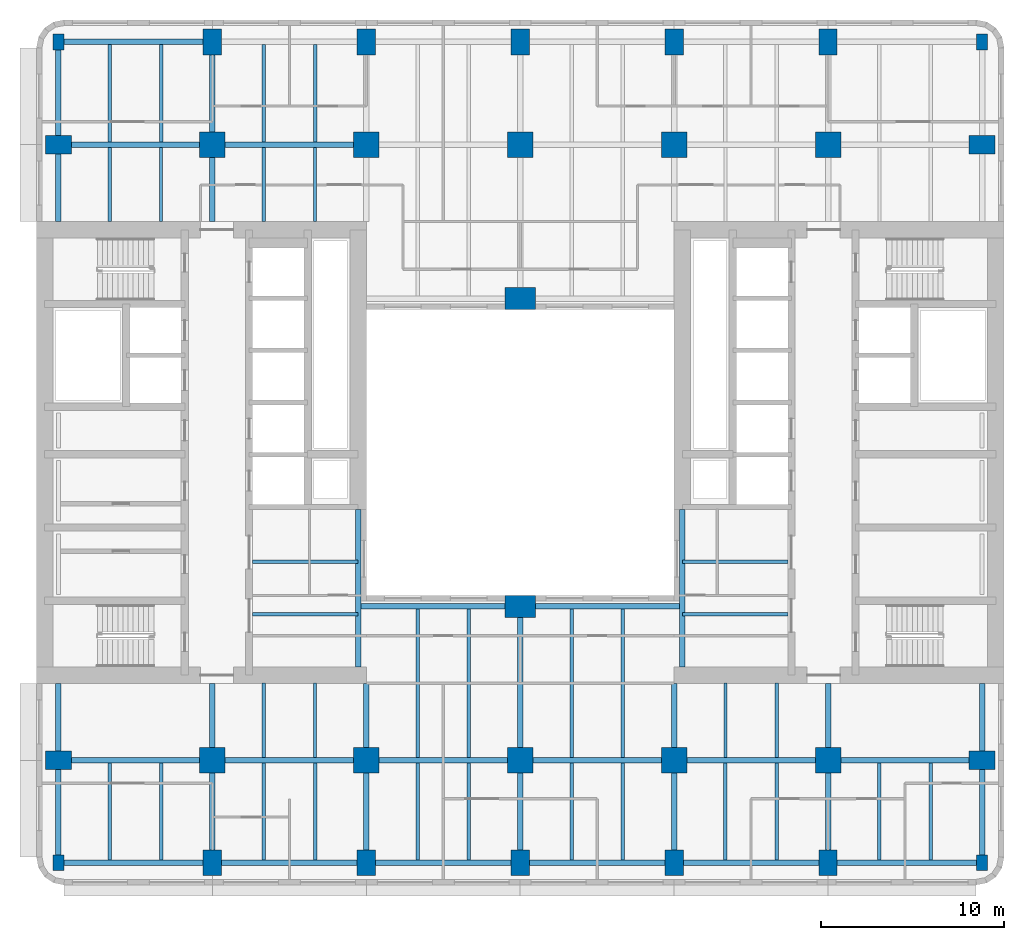
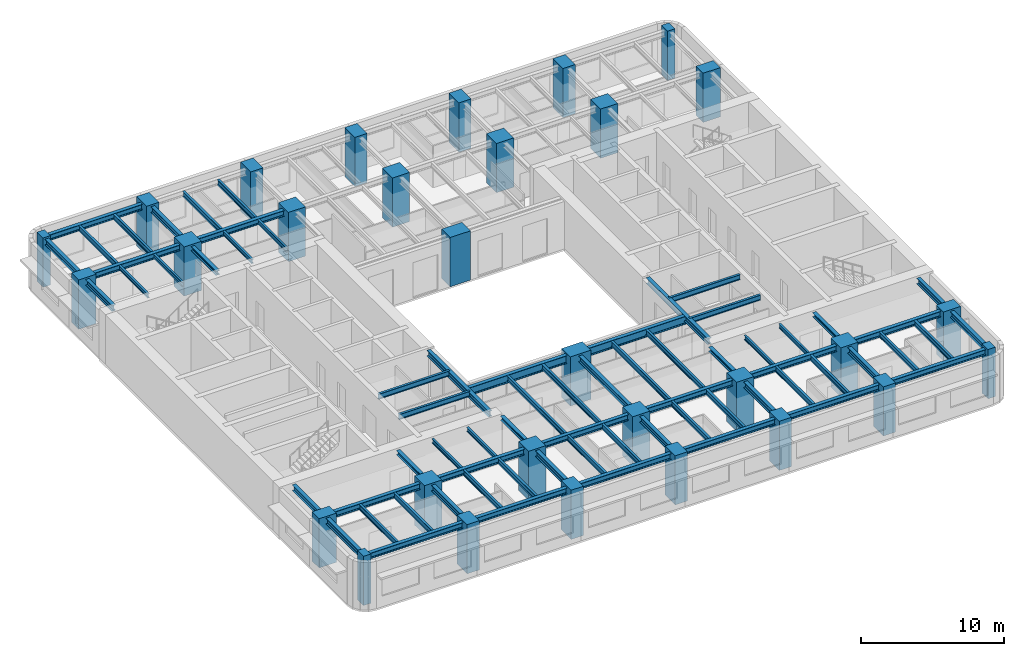
# One storey, part 1 of 11: 69 beams, 30 columns.
"""IFC4 building model written with IfcOpenShell, lengths in metres."""

from ifc_helpers import new_model, si_unit, direction, frame, origin, origin_2d, place, context, subcontext, project, spatial, rectangle, i_section, extrude, material, material_profile, profile_set, type_object, element, save


model = new_model("IFC4")

# Units and contexts
model_context = context("Model", 3, precision=1e-05, world=origin(), true_north=direction((0.0, 1.0)))
body_context = subcontext(model_context, "Body", "Model", "MODEL_VIEW")
ifc_project = project(units=[si_unit("LENGTHUNIT", "METRE"), si_unit("AREAUNIT", "SQUARE_METRE"), si_unit("VOLUMEUNIT", "CUBIC_METRE"), si_unit("PLANEANGLEUNIT", "RADIAN"), si_unit("MASSUNIT", "GRAM", prefix="KILO")], contexts=[model_context])

# Site, building, storey
site_placement = place(None, origin())
site = spatial("IfcSite", under=ifc_project, at=site_placement, CompositionType="ELEMENT")
building_placement = place(site_placement, origin())
building = spatial("IfcBuilding", under=site, at=building_placement, Name="Claustro Exchange Tower", CompositionType="ELEMENT")
storey_placement = place(building_placement, frame((0.0, 0.0, 155.39990234375)))
storey = spatial("IfcBuildingStorey", under=building, at=storey_placement, Name="L35", CompositionType="ELEMENT", Elevation=155.39990234375)

# Columns
ifc_material_1 = material(Name="Concrete HA-70 (C70/85)", Category="concrete")
ifc_material_profile_1 = material_profile(ifc_material_1, rectangle(XDim=1.39990234375, YDim=1.39990234375, at=origin_2d()), Name="RC 1400x1400")
ifc_profile_set_1 = profile_set([ifc_material_profile_1], Name="Concrete HA-70 (C70/85)")
column_type_1 = type_object("IfcColumnType", Name="C0 RC 1400x1400 HA-70 column", PredefinedType="COLUMN", material=ifc_profile_set_1)
for number, where, z_axis, x_axis, name in (
    (1, (8.39990234375, 8.39990234375, 0.0), (0.0, 0.0, 1.0), (1.0, 0.0, 0.0), "Column C0 2/B L35"),
    (2, (8.39990234375, 42.0, 0.0), (0.0, 0.0, 1.0), (1.0, 0.0, 0.0), "Column C0 2/F L35"),
    (3, (16.800048828125, 8.39990234375, 0.0), (0.0, 0.0, 1.0), (1.0, 0.0, 0.0), "Column C0 3/B L35"),
    (4, (16.800048828125, 42.0, 0.0), (0.0, 0.0, 1.0), (1.0, 0.0, 0.0), "Column C0 3/F L35"),
    (5, (25.199951171875, 8.39990234375, 0.0), (0.0, 0.0, 1.0), (1.0, 0.0, 0.0), "Column C0 4/B L35"),
    (6, (25.199951171875, 42.0, 0.0), (0.0, 0.0, 1.0), (1.0, 0.0, 0.0), "Column C0 4/F L35"),
    (7, (33.60009765625, 8.39990234375, 0.0), (0.0, 0.0, 1.0), (1.0, 0.0, 0.0), "Column C0 5/B L35"),
    (8, (33.60009765625, 42.0, 0.0), (0.0, 0.0, 1.0), (1.0, 0.0, 0.0), "Column C0 5/F L35"),
    (9, (42.0, 8.39990234375, 0.0), (0.0, 0.0, 1.0), (1.0, 0.0, 0.0), "Column C0 6/B L35"),
    (10, (42.0, 42.0, 0.0), (0.0, 0.0, 1.0), (1.0, 0.0, 0.0), "Column C0 6/F L35"),
):
    element("IfcColumn", number, at=place(storey_placement, frame(where, z_axis=z_axis, x_axis=x_axis)), inside=storey, type_object=column_type_1, Name=name, PredefinedType="COLUMN", context=body_context, shape_type="SweptSolid", body=[
        extrude(rectangle(XDim=1.39990234375, YDim=1.39990234375, at=origin_2d()), origin(), (0.0, 0.0, 1.0), 4.2001953125),
    ])
ifc_material_2 = material(Name="Concrete HA-70 (C70/85)", Category="concrete")
ifc_material_profile_2 = material_profile(ifc_material_2, rectangle(XDim=1.0, YDim=1.39990234375, at=origin_2d()), Name="RC 1000x1400")
ifc_profile_set_2 = profile_set([ifc_material_profile_2], Name="Concrete HA-70 (C70/85)")
column_type_2 = type_object("IfcColumnType", Name="C22 RC 1000x1400 HA-70 perimeter column", PredefinedType="COLUMN", material=ifc_profile_set_2)
for number, where, z_axis, x_axis, name in (
    (11, (0.0, 8.39990234375, 0.0), (0.0, 0.0, 1.0), (0.0, 1.0, 0.0), "Column C22 1/B L35"),
    (12, (0.0, 42.0, 0.0), (0.0, 0.0, 1.0), (0.0, 1.0, 0.0), "Column C22 1/F L35"),
    (13, (8.39990234375, 2.800048828125, 0.0), (0.0, 0.0, 1.0), (1.0, 0.0, 0.0), "Column C22 2/A+2800 L35"),
    (14, (8.39990234375, 47.60009765625, 0.0), (0.0, 0.0, 1.0), (1.0, 0.0, 0.0), "Column C22 2/F+5600 L35"),
    (15, (16.800048828125, 2.800048828125, 0.0), (0.0, 0.0, 1.0), (1.0, 0.0, 0.0), "Column C22 3/A+2800 L35"),
    (16, (16.800048828125, 47.60009765625, 0.0), (0.0, 0.0, 1.0), (1.0, 0.0, 0.0), "Column C22 3/F+5600 L35"),
    (17, (25.199951171875, 2.800048828125, 0.0), (0.0, 0.0, 1.0), (1.0, 0.0, 0.0), "Column C22 4/A+2800 L35"),
    (18, (25.199951171875, 47.60009765625, 0.0), (0.0, 0.0, 1.0), (1.0, 0.0, 0.0), "Column C22 4/F+5600 L35"),
    (19, (33.60009765625, 2.800048828125, 0.0), (0.0, 0.0, 1.0), (1.0, 0.0, 0.0), "Column C22 5/A+2800 L35"),
    (20, (33.60009765625, 47.60009765625, 0.0), (0.0, 0.0, 1.0), (1.0, 0.0, 0.0), "Column C22 5/F+5600 L35"),
    (21, (42.0, 2.800048828125, 0.0), (0.0, 0.0, 1.0), (1.0, 0.0, 0.0), "Column C22 6/A+2800 L35"),
    (22, (42.0, 47.60009765625, 0.0), (0.0, 0.0, 1.0), (1.0, 0.0, 0.0), "Column C22 6/F+5600 L35"),
    (23, (50.39990234375, 8.39990234375, 0.0), (0.0, 0.0, 1.0), (0.0, 1.0, 0.0), "Column C22 7/B L35"),
    (24, (50.39990234375, 42.0, 0.0), (0.0, 0.0, 1.0), (0.0, 1.0, 0.0), "Column C22 7/F L35"),
):
    element("IfcColumn", number, at=place(storey_placement, frame(where, z_axis=z_axis, x_axis=x_axis)), inside=storey, type_object=column_type_2, Name=name, PredefinedType="COLUMN", context=body_context, shape_type="SweptSolid", body=[
        extrude(rectangle(XDim=1.0, YDim=1.39990234375, at=origin_2d()), origin(), (0.0, 0.0, 1.0), 4.2001953125),
    ])
ifc_material_3 = material(Name="Concrete HA-50 (C50/60)", Category="concrete")
ifc_material_profile_3 = material_profile(ifc_material_3, rectangle(XDim=0.60009765625, YDim=0.85009765625, at=origin_2d()), Name="RC 600x850")
ifc_profile_set_3 = profile_set([ifc_material_profile_3], Name="Concrete HA-50 (C50/60)")
column_type_3 = type_object("IfcColumnType", Name="C25 RC 600x850 HA-50 corner column", PredefinedType="COLUMN", material=ifc_profile_set_3)
for number, where, z_axis, x_axis, name in (
    (25, (0.0, 2.800048828125, 0.0), (0.0, 0.0, 1.0), (1.0, 0.0, 0.0), "Column C25 1/A+2800 L35"),
    (26, (0.0, 47.60009765625, 0.0), (0.0, 0.0, 1.0), (1.0, 0.0, 0.0), "Column C25 1/F+5600 L35"),
    (27, (50.39990234375, 2.800048828125, 0.0), (0.0, 0.0, 1.0), (1.0, 0.0, 0.0), "Column C25 7/A+2800 L35"),
    (28, (50.39990234375, 47.60009765625, 0.0), (0.0, 0.0, 1.0), (1.0, 0.0, 0.0), "Column C25 7/F+5600 L35"),
):
    element("IfcColumn", number, at=place(storey_placement, frame(where, z_axis=z_axis, x_axis=x_axis)), inside=storey, type_object=column_type_3, Name=name, PredefinedType="COLUMN", context=body_context, shape_type="SweptSolid", body=[
        extrude(rectangle(XDim=0.60009765625, YDim=0.85009765625, at=origin_2d()), origin(), (0.0, 0.0, 1.0), 4.2001953125),
    ])
ifc_material_4 = material(Name="Concrete HA-70 (C70/85)", Category="concrete")
ifc_material_profile_4 = material_profile(ifc_material_4, rectangle(XDim=1.64990234375, YDim=1.199951171875, at=origin_2d()), Name="RC 1650x1200")
ifc_profile_set_4 = profile_set([ifc_material_profile_4], Name="Concrete HA-70 (C70/85)")
column_type_4 = type_object("IfcColumnType", Name="C32 RC 1650x1200 HA-70 light well column", PredefinedType="COLUMN", material=ifc_profile_set_4)
for number, where, z_axis, x_axis, name in (
    (29, (25.199951171875, 16.800048828125, 0.0), (0.0, 0.0, 1.0), (1.0, 0.0, 0.0), "Column C32 4/C L35"),
    (30, (25.199951171875, 33.60009765625, 0.0), (0.0, 0.0, 1.0), (1.0, 0.0, 0.0), "Column C32 4/E L35"),
):
    element("IfcColumn", number, at=place(storey_placement, frame(where, z_axis=z_axis, x_axis=x_axis)), inside=storey, type_object=column_type_4, Name=name, PredefinedType="COLUMN", context=body_context, shape_type="SweptSolid", body=[
        extrude(rectangle(XDim=1.64990234375, YDim=1.199951171875, at=origin_2d()), origin(), (0.0, 0.0, 1.0), 4.2001953125),
    ])

# Beams
ifc_material_5 = material(Name="Steel S355", Category="steel")
ifc_material_profile_5 = material_profile(ifc_material_5, i_section(OverallWidth=0.300048828125, OverallDepth=0.68994140625, WebThickness=0.014404296875, FlangeThickness=0.027099609375, FilletRadius=0.027099609375, at=origin_2d()), Name="HE 700 A")
ifc_profile_set_5 = profile_set([ifc_material_profile_5], Name="Steel S355")
beam_type_1 = type_object("IfcBeamType", Name="B13 HE 700 A light well edge girder", PredefinedType="BEAM", material=ifc_profile_set_5)
beam_1_placement = place(storey_placement, frame((16.35009765625, 16.800048828125, 3.705078125), z_axis=(1.0, 0.0, 0.0), x_axis=(0.0, 1.0, 0.0)))
element("IfcBeam", 31, at=beam_1_placement, inside=storey, type_object=beam_type_1, Name="Beam B13 L36", PredefinedType="BEAM", context=body_context, shape_type="SweptSolid", body=[
    extrude(i_section(OverallWidth=0.300048828125, OverallDepth=0.68994140625, WebThickness=0.014404296875, FlangeThickness=0.027099609375, FilletRadius=0.027099609375, at=origin_2d()), origin(), (0.0, 0.0, 1.0), 8.849853515625),
])
beam_2_placement = place(storey_placement, frame((25.199951171875, 16.800048828125, 3.705078125), z_axis=(1.0, 0.0, 0.0), x_axis=(0.0, 1.0, 0.0)))
element("IfcBeam", 32, at=beam_2_placement, inside=storey, type_object=beam_type_1, Name="Beam B13 L36", PredefinedType="BEAM", context=body_context, shape_type="SweptSolid", body=[
    extrude(i_section(OverallWidth=0.300048828125, OverallDepth=0.68994140625, WebThickness=0.014404296875, FlangeThickness=0.027099609375, FilletRadius=0.027099609375, at=origin_2d()), origin(), (0.0, 0.0, 1.0), 8.85009765625),
])
ifc_material_6 = material(Name="Steel S355", Category="steel")
ifc_material_profile_6 = material_profile(ifc_material_6, i_section(OverallWidth=0.169921875, OverallDepth=0.360107421875, WebThickness=0.008056640625, FlangeThickness=0.0126953125, FilletRadius=0.01806640625, at=origin_2d()), Name="IPE 360")
ifc_profile_set_6 = profile_set([ifc_material_profile_6], Name="Steel S355")
beam_type_2 = type_object("IfcBeamType", Name="B16 IPE 360 short-span beam", PredefinedType="BEAM", material=ifc_profile_set_6)
for number, where, z_axis, x_axis, name in (
    (33, (2.800048828125, 37.7900390625, 3.8701171875), (0.0, 1.0, 0.0), (-1.0, 0.0, 0.0), "Beam B16 L36"),
    (34, (5.60009765625, 37.7900390625, 3.8701171875), (0.0, 1.0, 0.0), (-1.0, 0.0, 0.0), "Beam B16 L36"),
    (35, (11.199951171875, 8.550048828125, 3.8701171875), (0.0, 1.0, 0.0), (-1.0, 0.0, 0.0), "Beam B16 L36"),
    (36, (14.0, 8.550048828125, 3.8701171875), (0.0, 1.0, 0.0), (-1.0, 0.0, 0.0), "Beam B16 L36"),
    (37, (11.199951171875, 37.7900390625, 3.8701171875), (0.0, 1.0, 0.0), (-1.0, 0.0, 0.0), "Beam B16 L36"),
    (38, (14.0, 37.7900390625, 3.8701171875), (0.0, 1.0, 0.0), (-1.0, 0.0, 0.0), "Beam B16 L36"),
    (39, (36.39990234375, 8.550048828125, 3.8701171875), (0.0, 1.0, 0.0), (-1.0, 0.0, 0.0), "Beam B16 L36"),
    (40, (39.199951171875, 8.550048828125, 3.8701171875), (0.0, 1.0, 0.0), (-1.0, 0.0, 0.0), "Beam B16 L36"),
):
    element("IfcBeam", number, at=place(storey_placement, frame(where, z_axis=z_axis, x_axis=x_axis)), inside=storey, type_object=beam_type_2, Name=name, PredefinedType="BEAM", context=body_context, shape_type="SweptSolid", body=[
        extrude(i_section(OverallWidth=0.169921875, OverallDepth=0.360107421875, WebThickness=0.008056640625, FlangeThickness=0.0126953125, FilletRadius=0.01806640625, at=origin_2d()), origin(), (0.0, 0.0, 1.0), 4.06005859375),
    ])
ifc_material_7 = material(Name="Steel S355", Category="steel")
ifc_material_profile_7 = material_profile(ifc_material_7, i_section(OverallWidth=0.300048828125, OverallDepth=0.360107421875, WebThickness=0.012451171875, FlangeThickness=0.0224609375, FilletRadius=0.027099609375, at=origin_2d()), Name="HE 360 B")
ifc_profile_set_7 = profile_set([ifc_material_profile_7], Name="Steel S355")
beam_type_3 = type_object("IfcBeamType", Name="B29 HE 360 B column to core link beam", PredefinedType="BEAM", material=ifc_profile_set_7)
beam_3_placement = place(storey_placement, frame((8.39990234375, 8.39990234375, 3.8701171875), z_axis=(0.0, 1.0, 0.0), x_axis=(-1.0, 0.0, 0.0)))
element("IfcBeam", 41, at=beam_3_placement, inside=storey, type_object=beam_type_3, Name="Beam B29 L36", PredefinedType="BEAM", context=body_context, shape_type="SweptSolid", body=[
    extrude(i_section(OverallWidth=0.300048828125, OverallDepth=0.360107421875, WebThickness=0.012451171875, FlangeThickness=0.0224609375, FilletRadius=0.027099609375, at=origin_2d()), origin(), (0.0, 0.0, 1.0), 4.2001953125),
])
beam_4_placement = place(storey_placement, frame((8.39990234375, 37.800048828125, 3.8701171875), z_axis=(0.0, 1.0, 0.0), x_axis=(-1.0, 0.0, 0.0)))
element("IfcBeam", 42, at=beam_4_placement, inside=storey, type_object=beam_type_3, Name="Beam B29 L36", PredefinedType="BEAM", context=body_context, shape_type="SweptSolid", body=[
    extrude(i_section(OverallWidth=0.300048828125, OverallDepth=0.360107421875, WebThickness=0.012451171875, FlangeThickness=0.0224609375, FilletRadius=0.027099609375, at=origin_2d()), origin(), (0.0, 0.0, 1.0), 4.199951171875),
])
for number, where, z_axis, x_axis, name in (
    (43, (16.800048828125, 8.39990234375, 3.8701171875), (0.0, 1.0, 0.0), (-1.0, 0.0, 0.0), "Beam B29 L36"),
    (44, (33.60009765625, 8.39990234375, 3.8701171875), (0.0, 1.0, 0.0), (-1.0, 0.0, 0.0), "Beam B29 L36"),
    (45, (42.0, 8.39990234375, 3.8701171875), (0.0, 1.0, 0.0), (-1.0, 0.0, 0.0), "Beam B29 L36"),
):
    element("IfcBeam", number, at=place(storey_placement, frame(where, z_axis=z_axis, x_axis=x_axis)), inside=storey, type_object=beam_type_3, Name=name, PredefinedType="BEAM", context=body_context, shape_type="SweptSolid", body=[
        extrude(i_section(OverallWidth=0.300048828125, OverallDepth=0.360107421875, WebThickness=0.012451171875, FlangeThickness=0.0224609375, FilletRadius=0.027099609375, at=origin_2d()), origin(), (0.0, 0.0, 1.0), 4.2001953125),
    ])
ifc_material_8 = material(Name="Steel S355", Category="steel")
ifc_material_profile_8 = material_profile(ifc_material_8, i_section(OverallWidth=0.300048828125, OverallDepth=0.5, WebThickness=0.014404296875, FlangeThickness=0.028076171875, FilletRadius=0.027099609375, at=origin_2d()), Name="HE 500 B")
ifc_profile_set_8 = profile_set([ifc_material_profile_8], Name="Steel S355")
beam_type_4 = type_object("IfcBeamType", Name="B7 HE 500 B floor girder", PredefinedType="BEAM", material=ifc_profile_set_8)
beam_5_placement = place(storey_placement, frame((8.39990234375, 2.800048828125, 3.800048828125), z_axis=(0.0, 1.0, 0.0), x_axis=(-1.0, 0.0, 0.0)))
element("IfcBeam", 46, at=beam_5_placement, inside=storey, type_object=beam_type_4, Name="Beam B7 L36", PredefinedType="BEAM", context=body_context, shape_type="SweptSolid", body=[
    extrude(i_section(OverallWidth=0.300048828125, OverallDepth=0.5, WebThickness=0.014404296875, FlangeThickness=0.028076171875, FilletRadius=0.027099609375, at=origin_2d()), origin(), (0.0, 0.0, 1.0), 5.599853515625),
])
beam_6_placement = place(storey_placement, frame((8.39990234375, 42.0, 3.800048828125), z_axis=(0.0, 1.0, 0.0), x_axis=(-1.0, 0.0, 0.0)))
element("IfcBeam", 47, at=beam_6_placement, inside=storey, type_object=beam_type_4, Name="Beam B7 L36", PredefinedType="BEAM", context=body_context, shape_type="SweptSolid", body=[
    extrude(i_section(OverallWidth=0.300048828125, OverallDepth=0.5, WebThickness=0.014404296875, FlangeThickness=0.028076171875, FilletRadius=0.027099609375, at=origin_2d()), origin(), (0.0, 0.0, 1.0), 5.60009765625),
])
for number, where, z_axis, x_axis, name in (
    (48, (16.800048828125, 2.800048828125, 3.800048828125), (0.0, 1.0, 0.0), (-1.0, 0.0, 0.0), "Beam B7 L36"),
    (49, (25.199951171875, 2.800048828125, 3.800048828125), (0.0, 1.0, 0.0), (-1.0, 0.0, 0.0), "Beam B7 L36"),
):
    element("IfcBeam", number, at=place(storey_placement, frame(where, z_axis=z_axis, x_axis=x_axis)), inside=storey, type_object=beam_type_4, Name=name, PredefinedType="BEAM", context=body_context, shape_type="SweptSolid", body=[
        extrude(i_section(OverallWidth=0.300048828125, OverallDepth=0.5, WebThickness=0.014404296875, FlangeThickness=0.028076171875, FilletRadius=0.027099609375, at=origin_2d()), origin(), (0.0, 0.0, 1.0), 5.599853515625),
    ])
beam_7_placement = place(storey_placement, frame((25.199951171875, 8.39990234375, 3.800048828125), z_axis=(0.0, 1.0, 0.0), x_axis=(-1.0, 0.0, 0.0)))
element("IfcBeam", 50, at=beam_7_placement, inside=storey, type_object=beam_type_4, Name="Beam B7 L36", PredefinedType="BEAM", context=body_context, shape_type="SweptSolid", body=[
    extrude(i_section(OverallWidth=0.300048828125, OverallDepth=0.5, WebThickness=0.014404296875, FlangeThickness=0.028076171875, FilletRadius=0.027099609375, at=origin_2d()), origin(), (0.0, 0.0, 1.0), 8.400146484375),
])
for number, where, z_axis, x_axis, name in (
    (51, (33.60009765625, 2.800048828125, 3.800048828125), (0.0, 1.0, 0.0), (-1.0, 0.0, 0.0), "Beam B7 L36"),
    (52, (42.0, 2.800048828125, 3.800048828125), (0.0, 1.0, 0.0), (-1.0, 0.0, 0.0), "Beam B7 L36"),
):
    element("IfcBeam", number, at=place(storey_placement, frame(where, z_axis=z_axis, x_axis=x_axis)), inside=storey, type_object=beam_type_4, Name=name, PredefinedType="BEAM", context=body_context, shape_type="SweptSolid", body=[
        extrude(i_section(OverallWidth=0.300048828125, OverallDepth=0.5, WebThickness=0.014404296875, FlangeThickness=0.028076171875, FilletRadius=0.027099609375, at=origin_2d()), origin(), (0.0, 0.0, 1.0), 5.599853515625),
    ])
beam_8_placement = place(storey_placement, frame((0.0, 8.39990234375, 3.800048828125), z_axis=(1.0, 0.0, 0.0), x_axis=(0.0, 1.0, 0.0)))
element("IfcBeam", 53, at=beam_8_placement, inside=storey, type_object=beam_type_4, Name="Beam B7 L36", PredefinedType="BEAM", context=body_context, shape_type="SweptSolid", body=[
    extrude(i_section(OverallWidth=0.300048828125, OverallDepth=0.5, WebThickness=0.014404296875, FlangeThickness=0.028076171875, FilletRadius=0.027099609375, at=origin_2d()), origin(), (0.0, 0.0, 1.0), 8.39990234375),
])
beam_9_placement = place(storey_placement, frame((8.39990234375, 8.39990234375, 3.800048828125), z_axis=(1.0, 0.0, 0.0), x_axis=(0.0, 1.0, 0.0)))
element("IfcBeam", 54, at=beam_9_placement, inside=storey, type_object=beam_type_4, Name="Beam B7 L36", PredefinedType="BEAM", context=body_context, shape_type="SweptSolid", body=[
    extrude(i_section(OverallWidth=0.300048828125, OverallDepth=0.5, WebThickness=0.014404296875, FlangeThickness=0.028076171875, FilletRadius=0.027099609375, at=origin_2d()), origin(), (0.0, 0.0, 1.0), 8.400146484375),
])
beam_10_placement = place(storey_placement, frame((16.800048828125, 8.39990234375, 3.800048828125), z_axis=(1.0, 0.0, 0.0), x_axis=(0.0, 1.0, 0.0)))
element("IfcBeam", 55, at=beam_10_placement, inside=storey, type_object=beam_type_4, Name="Beam B7 L36", PredefinedType="BEAM", context=body_context, shape_type="SweptSolid", body=[
    extrude(i_section(OverallWidth=0.300048828125, OverallDepth=0.5, WebThickness=0.014404296875, FlangeThickness=0.028076171875, FilletRadius=0.027099609375, at=origin_2d()), origin(), (0.0, 0.0, 1.0), 8.39990234375),
])
beam_11_placement = place(storey_placement, frame((25.199951171875, 8.39990234375, 3.800048828125), z_axis=(1.0, 0.0, 0.0), x_axis=(0.0, 1.0, 0.0)))
element("IfcBeam", 56, at=beam_11_placement, inside=storey, type_object=beam_type_4, Name="Beam B7 L36", PredefinedType="BEAM", context=body_context, shape_type="SweptSolid", body=[
    extrude(i_section(OverallWidth=0.300048828125, OverallDepth=0.5, WebThickness=0.014404296875, FlangeThickness=0.028076171875, FilletRadius=0.027099609375, at=origin_2d()), origin(), (0.0, 0.0, 1.0), 8.400146484375),
])
for number, where, z_axis, x_axis, name in (
    (57, (33.60009765625, 8.39990234375, 3.800048828125), (1.0, 0.0, 0.0), (0.0, 1.0, 0.0), "Beam B7 L36"),
    (58, (42.0, 8.39990234375, 3.800048828125), (1.0, 0.0, 0.0), (0.0, 1.0, 0.0), "Beam B7 L36"),
    (59, (0.0, 42.0, 3.800048828125), (1.0, 0.0, 0.0), (0.0, 1.0, 0.0), "Beam B7 L36"),
):
    element("IfcBeam", number, at=place(storey_placement, frame(where, z_axis=z_axis, x_axis=x_axis)), inside=storey, type_object=beam_type_4, Name=name, PredefinedType="BEAM", context=body_context, shape_type="SweptSolid", body=[
        extrude(i_section(OverallWidth=0.300048828125, OverallDepth=0.5, WebThickness=0.014404296875, FlangeThickness=0.028076171875, FilletRadius=0.027099609375, at=origin_2d()), origin(), (0.0, 0.0, 1.0), 8.39990234375),
    ])
beam_12_placement = place(storey_placement, frame((8.39990234375, 42.0, 3.800048828125), z_axis=(1.0, 0.0, 0.0), x_axis=(0.0, 1.0, 0.0)))
element("IfcBeam", 60, at=beam_12_placement, inside=storey, type_object=beam_type_4, Name="Beam B7 L36", PredefinedType="BEAM", context=body_context, shape_type="SweptSolid", body=[
    extrude(i_section(OverallWidth=0.300048828125, OverallDepth=0.5, WebThickness=0.014404296875, FlangeThickness=0.028076171875, FilletRadius=0.027099609375, at=origin_2d()), origin(), (0.0, 0.0, 1.0), 8.400146484375),
])
for number, where, z_axis, x_axis, name in (
    (61, (16.35009765625, 13.5, 3.800048828125), (0.0, 1.0, 0.0), (-1.0, 0.0, 0.0), "Beam B7 core step framing L36"),
    (62, (34.050048828125, 13.5, 3.800048828125), (0.0, 1.0, 0.0), (-1.0, 0.0, 0.0), "Beam B7 core step framing L36"),
):
    element("IfcBeam", number, at=place(storey_placement, frame(where, z_axis=z_axis, x_axis=x_axis)), inside=storey, type_object=beam_type_4, Name=name, PredefinedType="BEAM", context=body_context, shape_type="SweptSolid", body=[
        extrude(i_section(OverallWidth=0.300048828125, OverallDepth=0.5, WebThickness=0.014404296875, FlangeThickness=0.028076171875, FilletRadius=0.027099609375, at=origin_2d()), origin(), (0.0, 0.0, 1.0), 8.60009765625),
    ])
ifc_material_9 = material(Name="Steel S355", Category="steel")
ifc_material_profile_9 = material_profile(ifc_material_9, i_section(OverallWidth=0.18994140625, OverallDepth=0.449951171875, WebThickness=0.009521484375, FlangeThickness=0.0146484375, FilletRadius=0.02099609375, at=origin_2d()), Name="IPE 450")
ifc_profile_set_9 = profile_set([ifc_material_profile_9], Name="Steel S355")
beam_type_5 = type_object("IfcBeamType", Name="B8 IPE 450 secondary beam", PredefinedType="BEAM", material=ifc_profile_set_9)
for number, where, z_axis, x_axis, name in (
    (63, (2.800048828125, 2.949951171875, 3.8251953125), (0.0, 1.0, 0.0), (-1.0, 0.0, 0.0), "Beam B8 L36"),
    (64, (5.60009765625, 2.949951171875, 3.8251953125), (0.0, 1.0, 0.0), (-1.0, 0.0, 0.0), "Beam B8 L36"),
    (65, (2.800048828125, 42.14990234375, 3.8251953125), (0.0, 1.0, 0.0), (-1.0, 0.0, 0.0), "Beam B8 L36"),
    (66, (5.60009765625, 42.14990234375, 3.8251953125), (0.0, 1.0, 0.0), (-1.0, 0.0, 0.0), "Beam B8 L36"),
    (67, (11.199951171875, 2.949951171875, 3.8251953125), (0.0, 1.0, 0.0), (-1.0, 0.0, 0.0), "Beam B8 L36"),
    (68, (14.0, 2.949951171875, 3.8251953125), (0.0, 1.0, 0.0), (-1.0, 0.0, 0.0), "Beam B8 L36"),
    (69, (11.199951171875, 42.14990234375, 3.8251953125), (0.0, 1.0, 0.0), (-1.0, 0.0, 0.0), "Beam B8 L36"),
    (70, (14.0, 42.14990234375, 3.8251953125), (0.0, 1.0, 0.0), (-1.0, 0.0, 0.0), "Beam B8 L36"),
    (71, (19.60009765625, 2.949951171875, 3.8251953125), (0.0, 1.0, 0.0), (-1.0, 0.0, 0.0), "Beam B8 L36"),
    (72, (22.39990234375, 2.949951171875, 3.8251953125), (0.0, 1.0, 0.0), (-1.0, 0.0, 0.0), "Beam B8 L36"),
):
    element("IfcBeam", number, at=place(storey_placement, frame(where, z_axis=z_axis, x_axis=x_axis)), inside=storey, type_object=beam_type_5, Name=name, PredefinedType="BEAM", context=body_context, shape_type="SweptSolid", body=[
        extrude(i_section(OverallWidth=0.18994140625, OverallDepth=0.449951171875, WebThickness=0.009521484375, FlangeThickness=0.0146484375, FilletRadius=0.02099609375, at=origin_2d()), origin(), (0.0, 0.0, 1.0), 5.300048828125),
    ])
for number, where, z_axis, x_axis, name in (
    (73, (19.60009765625, 8.550048828125, 3.8251953125), (0.0, 1.0, 0.0), (-1.0, 0.0, 0.0), "Beam B8 L36"),
    (74, (22.39990234375, 8.550048828125, 3.8251953125), (0.0, 1.0, 0.0), (-1.0, 0.0, 0.0), "Beam B8 L36"),
):
    element("IfcBeam", number, at=place(storey_placement, frame(where, z_axis=z_axis, x_axis=x_axis)), inside=storey, type_object=beam_type_5, Name=name, PredefinedType="BEAM", context=body_context, shape_type="SweptSolid", body=[
        extrude(i_section(OverallWidth=0.18994140625, OverallDepth=0.449951171875, WebThickness=0.009521484375, FlangeThickness=0.0146484375, FilletRadius=0.02099609375, at=origin_2d()), origin(), (0.0, 0.0, 1.0), 8.099853515625),
    ])
for number, where, z_axis, x_axis, name in (
    (75, (28.0, 2.949951171875, 3.8251953125), (0.0, 1.0, 0.0), (-1.0, 0.0, 0.0), "Beam B8 L36"),
    (76, (30.800048828125, 2.949951171875, 3.8251953125), (0.0, 1.0, 0.0), (-1.0, 0.0, 0.0), "Beam B8 L36"),
):
    element("IfcBeam", number, at=place(storey_placement, frame(where, z_axis=z_axis, x_axis=x_axis)), inside=storey, type_object=beam_type_5, Name=name, PredefinedType="BEAM", context=body_context, shape_type="SweptSolid", body=[
        extrude(i_section(OverallWidth=0.18994140625, OverallDepth=0.449951171875, WebThickness=0.009521484375, FlangeThickness=0.0146484375, FilletRadius=0.02099609375, at=origin_2d()), origin(), (0.0, 0.0, 1.0), 5.300048828125),
    ])
for number, where, z_axis, x_axis, name in (
    (77, (28.0, 8.550048828125, 3.8251953125), (0.0, 1.0, 0.0), (-1.0, 0.0, 0.0), "Beam B8 L36"),
    (78, (30.800048828125, 8.550048828125, 3.8251953125), (0.0, 1.0, 0.0), (-1.0, 0.0, 0.0), "Beam B8 L36"),
):
    element("IfcBeam", number, at=place(storey_placement, frame(where, z_axis=z_axis, x_axis=x_axis)), inside=storey, type_object=beam_type_5, Name=name, PredefinedType="BEAM", context=body_context, shape_type="SweptSolid", body=[
        extrude(i_section(OverallWidth=0.18994140625, OverallDepth=0.449951171875, WebThickness=0.009521484375, FlangeThickness=0.0146484375, FilletRadius=0.02099609375, at=origin_2d()), origin(), (0.0, 0.0, 1.0), 8.099853515625),
    ])
for number, where, z_axis, x_axis, name in (
    (79, (36.39990234375, 2.949951171875, 3.8251953125), (0.0, 1.0, 0.0), (-1.0, 0.0, 0.0), "Beam B8 L36"),
    (80, (39.199951171875, 2.949951171875, 3.8251953125), (0.0, 1.0, 0.0), (-1.0, 0.0, 0.0), "Beam B8 L36"),
    (81, (44.800048828125, 2.949951171875, 3.8251953125), (0.0, 1.0, 0.0), (-1.0, 0.0, 0.0), "Beam B8 L36"),
    (82, (47.60009765625, 2.949951171875, 3.8251953125), (0.0, 1.0, 0.0), (-1.0, 0.0, 0.0), "Beam B8 L36"),
):
    element("IfcBeam", number, at=place(storey_placement, frame(where, z_axis=z_axis, x_axis=x_axis)), inside=storey, type_object=beam_type_5, Name=name, PredefinedType="BEAM", context=body_context, shape_type="SweptSolid", body=[
        extrude(i_section(OverallWidth=0.18994140625, OverallDepth=0.449951171875, WebThickness=0.009521484375, FlangeThickness=0.0146484375, FilletRadius=0.02099609375, at=origin_2d()), origin(), (0.0, 0.0, 1.0), 5.300048828125),
    ])
for number, where, z_axis, x_axis, name in (
    (83, (10.60009765625, 16.36669921875, 3.8251953125), (1.0, 0.0, 0.0), (0.0, 1.0, 0.0), "Beam B8 core step framing L36"),
    (84, (10.60009765625, 19.2333984375, 3.8251953125), (1.0, 0.0, 0.0), (0.0, 1.0, 0.0), "Beam B8 core step framing L36"),
    (85, (34.050048828125, 16.36669921875, 3.8251953125), (1.0, 0.0, 0.0), (0.0, 1.0, 0.0), "Beam B8 core step framing L36"),
    (86, (34.050048828125, 19.2333984375, 3.8251953125), (1.0, 0.0, 0.0), (0.0, 1.0, 0.0), "Beam B8 core step framing L36"),
):
    element("IfcBeam", number, at=place(storey_placement, frame(where, z_axis=z_axis, x_axis=x_axis)), inside=storey, type_object=beam_type_5, Name=name, PredefinedType="BEAM", context=body_context, shape_type="SweptSolid", body=[
        extrude(i_section(OverallWidth=0.18994140625, OverallDepth=0.449951171875, WebThickness=0.009521484375, FlangeThickness=0.0146484375, FilletRadius=0.02099609375, at=origin_2d()), origin(), (0.0, 0.0, 1.0), 5.75),
    ])
ifc_material_10 = material(Name="Steel S355", Category="steel")
ifc_material_profile_10 = material_profile(ifc_material_10, i_section(OverallWidth=0.300048828125, OverallDepth=0.489990234375, WebThickness=0.011962890625, FlangeThickness=0.02294921875, FilletRadius=0.027099609375, at=origin_2d()), Name="HE 500 A")
ifc_profile_set_10 = profile_set([ifc_material_profile_10], Name="Steel S355")
beam_type_6 = type_object("IfcBeamType", Name="B9 HE 500 A spandrel edge girder", PredefinedType="SPANDREL", material=ifc_profile_set_10)
beam_13_placement = place(storey_placement, frame((0.0, 2.800048828125, 3.80517578125), z_axis=(0.0, 1.0, 0.0), x_axis=(-1.0, 0.0, 0.0)))
element("IfcBeam", 87, at=beam_13_placement, inside=storey, type_object=beam_type_6, Name="Beam B9 L36", PredefinedType="SPANDREL", context=body_context, shape_type="SweptSolid", body=[
    extrude(i_section(OverallWidth=0.300048828125, OverallDepth=0.489990234375, WebThickness=0.011962890625, FlangeThickness=0.02294921875, FilletRadius=0.027099609375, at=origin_2d()), origin(), (0.0, 0.0, 1.0), 5.599853515625),
])
beam_14_placement = place(storey_placement, frame((0.0, 8.39990234375, 3.80517578125), z_axis=(0.0, 1.0, 0.0), x_axis=(-1.0, 0.0, 0.0)))
element("IfcBeam", 88, at=beam_14_placement, inside=storey, type_object=beam_type_6, Name="Beam B9 L36", PredefinedType="SPANDREL", context=body_context, shape_type="SweptSolid", body=[
    extrude(i_section(OverallWidth=0.300048828125, OverallDepth=0.489990234375, WebThickness=0.011962890625, FlangeThickness=0.02294921875, FilletRadius=0.027099609375, at=origin_2d()), origin(), (0.0, 0.0, 1.0), 4.2001953125),
])
beam_15_placement = place(storey_placement, frame((0.0, 37.800048828125, 3.80517578125), z_axis=(0.0, 1.0, 0.0), x_axis=(-1.0, 0.0, 0.0)))
element("IfcBeam", 89, at=beam_15_placement, inside=storey, type_object=beam_type_6, Name="Beam B9 L36", PredefinedType="SPANDREL", context=body_context, shape_type="SweptSolid", body=[
    extrude(i_section(OverallWidth=0.300048828125, OverallDepth=0.489990234375, WebThickness=0.011962890625, FlangeThickness=0.02294921875, FilletRadius=0.027099609375, at=origin_2d()), origin(), (0.0, 0.0, 1.0), 4.199951171875),
])
beam_16_placement = place(storey_placement, frame((0.0, 42.0, 3.80517578125), z_axis=(0.0, 1.0, 0.0), x_axis=(-1.0, 0.0, 0.0)))
element("IfcBeam", 90, at=beam_16_placement, inside=storey, type_object=beam_type_6, Name="Beam B9 L36", PredefinedType="SPANDREL", context=body_context, shape_type="SweptSolid", body=[
    extrude(i_section(OverallWidth=0.300048828125, OverallDepth=0.489990234375, WebThickness=0.011962890625, FlangeThickness=0.02294921875, FilletRadius=0.027099609375, at=origin_2d()), origin(), (0.0, 0.0, 1.0), 5.60009765625),
])
beam_17_placement = place(storey_placement, frame((50.39990234375, 2.800048828125, 3.80517578125), z_axis=(0.0, 1.0, 0.0), x_axis=(-1.0, 0.0, 0.0)))
element("IfcBeam", 91, at=beam_17_placement, inside=storey, type_object=beam_type_6, Name="Beam B9 L36", PredefinedType="SPANDREL", context=body_context, shape_type="SweptSolid", body=[
    extrude(i_section(OverallWidth=0.300048828125, OverallDepth=0.489990234375, WebThickness=0.011962890625, FlangeThickness=0.02294921875, FilletRadius=0.027099609375, at=origin_2d()), origin(), (0.0, 0.0, 1.0), 5.599853515625),
])
beam_18_placement = place(storey_placement, frame((50.39990234375, 8.39990234375, 3.80517578125), z_axis=(0.0, 1.0, 0.0), x_axis=(-1.0, 0.0, 0.0)))
element("IfcBeam", 92, at=beam_18_placement, inside=storey, type_object=beam_type_6, Name="Beam B9 L36", PredefinedType="SPANDREL", context=body_context, shape_type="SweptSolid", body=[
    extrude(i_section(OverallWidth=0.300048828125, OverallDepth=0.489990234375, WebThickness=0.011962890625, FlangeThickness=0.02294921875, FilletRadius=0.027099609375, at=origin_2d()), origin(), (0.0, 0.0, 1.0), 4.2001953125),
])
beam_19_placement = place(storey_placement, frame((0.0, 2.800048828125, 3.80517578125), z_axis=(1.0, 0.0, 0.0), x_axis=(0.0, 1.0, 0.0)))
element("IfcBeam", 93, at=beam_19_placement, inside=storey, type_object=beam_type_6, Name="Beam B9 L36", PredefinedType="SPANDREL", context=body_context, shape_type="SweptSolid", body=[
    extrude(i_section(OverallWidth=0.300048828125, OverallDepth=0.489990234375, WebThickness=0.011962890625, FlangeThickness=0.02294921875, FilletRadius=0.027099609375, at=origin_2d()), origin(), (0.0, 0.0, 1.0), 8.39990234375),
])
beam_20_placement = place(storey_placement, frame((8.39990234375, 2.800048828125, 3.80517578125), z_axis=(1.0, 0.0, 0.0), x_axis=(0.0, 1.0, 0.0)))
element("IfcBeam", 94, at=beam_20_placement, inside=storey, type_object=beam_type_6, Name="Beam B9 L36", PredefinedType="SPANDREL", context=body_context, shape_type="SweptSolid", body=[
    extrude(i_section(OverallWidth=0.300048828125, OverallDepth=0.489990234375, WebThickness=0.011962890625, FlangeThickness=0.02294921875, FilletRadius=0.027099609375, at=origin_2d()), origin(), (0.0, 0.0, 1.0), 8.400146484375),
])
beam_21_placement = place(storey_placement, frame((16.800048828125, 2.800048828125, 3.80517578125), z_axis=(1.0, 0.0, 0.0), x_axis=(0.0, 1.0, 0.0)))
element("IfcBeam", 95, at=beam_21_placement, inside=storey, type_object=beam_type_6, Name="Beam B9 L36", PredefinedType="SPANDREL", context=body_context, shape_type="SweptSolid", body=[
    extrude(i_section(OverallWidth=0.300048828125, OverallDepth=0.489990234375, WebThickness=0.011962890625, FlangeThickness=0.02294921875, FilletRadius=0.027099609375, at=origin_2d()), origin(), (0.0, 0.0, 1.0), 8.39990234375),
])
beam_22_placement = place(storey_placement, frame((25.199951171875, 2.800048828125, 3.80517578125), z_axis=(1.0, 0.0, 0.0), x_axis=(0.0, 1.0, 0.0)))
element("IfcBeam", 96, at=beam_22_placement, inside=storey, type_object=beam_type_6, Name="Beam B9 L36", PredefinedType="SPANDREL", context=body_context, shape_type="SweptSolid", body=[
    extrude(i_section(OverallWidth=0.300048828125, OverallDepth=0.489990234375, WebThickness=0.011962890625, FlangeThickness=0.02294921875, FilletRadius=0.027099609375, at=origin_2d()), origin(), (0.0, 0.0, 1.0), 8.400146484375),
])
for number, where, z_axis, x_axis, name in (
    (97, (33.60009765625, 2.800048828125, 3.80517578125), (1.0, 0.0, 0.0), (0.0, 1.0, 0.0), "Beam B9 L36"),
    (98, (42.0, 2.800048828125, 3.80517578125), (1.0, 0.0, 0.0), (0.0, 1.0, 0.0), "Beam B9 L36"),
    (99, (0.0, 47.60009765625, 3.80517578125), (1.0, 0.0, 0.0), (0.0, 1.0, 0.0), "Beam B9 L36"),
):
    element("IfcBeam", number, at=place(storey_placement, frame(where, z_axis=z_axis, x_axis=x_axis)), inside=storey, type_object=beam_type_6, Name=name, PredefinedType="SPANDREL", context=body_context, shape_type="SweptSolid", body=[
        extrude(i_section(OverallWidth=0.300048828125, OverallDepth=0.489990234375, WebThickness=0.011962890625, FlangeThickness=0.02294921875, FilletRadius=0.027099609375, at=origin_2d()), origin(), (0.0, 0.0, 1.0), 8.39990234375),
    ])

save(model, "model.ifc")
